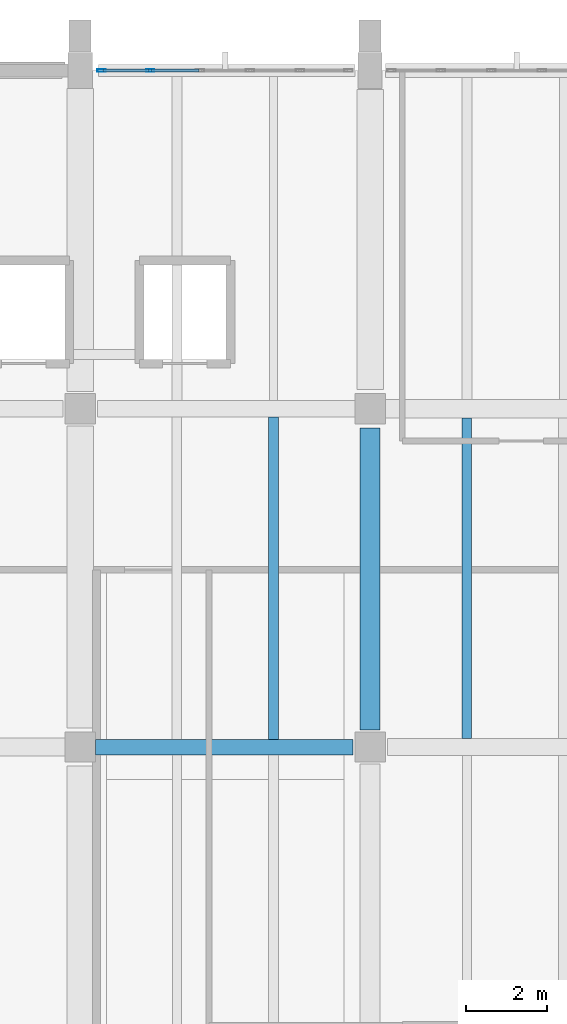
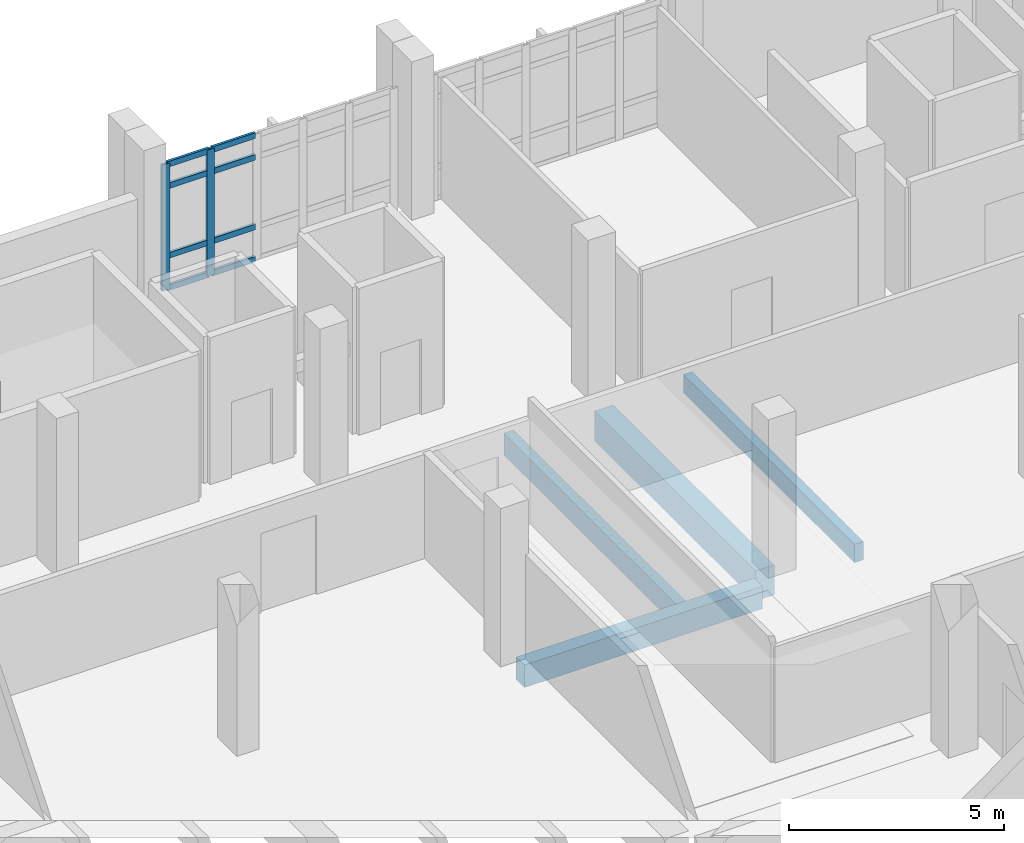
# One storey, part 63 of 124: 10 members, 4 beams, 1 element without a shape of its own.
"""IFC4 building model written with IfcOpenShell, lengths in metres."""

import ifcopenshell
import ifcopenshell.guid

model = None  # the IFC model being written
_history = None  # IfcOwnerHistory: only IFC2X3 demands one
_inside = {}  # id of a spatial element -> (the spatial element, [elements in it])
_under = {}  # id of a project, library or spatial element -> (it, [spatial elements below it])
_declared = {}  # id of a project -> (the project, [libraries it declares])
_typed = {}  # id of a type object -> (the type object, [elements of that type])
_made_of = {}  # id of a material, layer set ... -> (it, [elements and type objects made of it])


def new_model(schema):
    """Start an empty IFC model of exactly this schema.

    Asked for "IFC4X3", IfcOpenShell would pick the latest addendum, in which some entities
    have other attributes; the version numbers below select the first issue.
    IFC2X3 requires an IfcOwnerHistory on every rooted entity: one is made here for all.
    """
    global model, _history
    if schema == "IFC4X3":
        model = ifcopenshell.file(schema_version=(4, 3, 0, 0))
    else:
        model = ifcopenshell.file(schema=schema)
    _inside.clear()
    _under.clear()
    _declared.clear()
    _typed.clear()
    _made_of.clear()
    _history = None
    if model.schema == "IFC2X3":
        org = make("IfcOrganization", Name="unknown")
        user = make(
            "IfcPersonAndOrganization",
            ThePerson=make("IfcPerson", FamilyName="unknown"),
            TheOrganization=org,
        )
        app = make(
            "IfcApplication",
            ApplicationDeveloper=org,
            Version="unknown",
            ApplicationFullName="unknown",
            ApplicationIdentifier="unknown",
        )
        _history = make(
            "IfcOwnerHistory",
            OwningUser=user,
            OwningApplication=app,
            ChangeAction="ADDED",
            CreationDate=0,
        )
    return model


def make(cls, **values):
    """One entity of the class cls with the attributes given. An attribute that is None is left unset."""
    return model.create_entity(
        cls, **{name: value for name, value in values.items() if value is not None}
    )


def rooted(cls, **values):
    """An entity with a GlobalId (a new one), such as an element, a storey or a relation."""
    return make(cls, GlobalId=ifcopenshell.guid.new(), OwnerHistory=_history, **values)


def si_unit(unit_type, name, prefix=None):
    """IfcSIUnit, for example si_unit("LENGTHUNIT", "METRE", prefix="MILLI")."""
    return make("IfcSIUnit", UnitType=unit_type, Prefix=prefix, Name=name)


def assignment(units):
    """IfcUnitAssignment: the units of a project."""
    return None if units is None else make("IfcUnitAssignment", Units=units)


def point(xyz):
    """IfcCartesianPoint."""
    return None if xyz is None else make("IfcCartesianPoint", Coordinates=xyz)


def direction(xyz):
    """IfcDirection."""
    return None if xyz is None else make("IfcDirection", DirectionRatios=xyz)


def frame(location, z_axis=None, x_axis=None):
    """IfcAxis2Placement3D, a coordinate frame: its origin and axes. An axis left out is left unset."""
    return make(
        "IfcAxis2Placement3D",
        Location=point(location),
        Axis=direction(z_axis),
        RefDirection=direction(x_axis),
    )


def frame_2d(location, x_axis=None):
    """IfcAxis2Placement2D, a coordinate frame in the plane: its origin and x axis."""
    return make(
        "IfcAxis2Placement2D", Location=point(location), RefDirection=direction(x_axis)
    )


def origin():
    """The frame at (0, 0, 0) with its axes left unset."""
    return frame((0.0, 0.0, 0.0))


def origin_2d():
    """The frame at (0, 0) in the plane with its x axis left unset."""
    return frame_2d((0.0, 0.0))


def place(relative_to, where):
    """IfcLocalPlacement: puts the frame where relative to a parent placement (None: the world)."""
    return make(
        "IfcLocalPlacement", PlacementRelTo=relative_to, RelativePlacement=where
    )


def context(
    kind, dimensions, precision=None, world=None, true_north=None, identifier=None
):
    """IfcGeometricRepresentationContext, for example the 3D "Model" context."""
    return make(
        "IfcGeometricRepresentationContext",
        ContextIdentifier=identifier,
        ContextType=kind,
        CoordinateSpaceDimension=dimensions,
        Precision=precision,
        WorldCoordinateSystem=world,
        TrueNorth=true_north,
    )


def subcontext(parent, identifier, kind, view, scale=None):
    """IfcGeometricRepresentationSubContext, for example "Body" below "Model"."""
    return make(
        "IfcGeometricRepresentationSubContext",
        ContextIdentifier=identifier,
        ContextType=kind,
        ParentContext=parent,
        TargetScale=scale,
        TargetView=view,
    )


def project(units=None, contexts=None):
    """IfcProject with its units and contexts."""
    return rooted(
        "IfcProject",
        Name="project",
        RepresentationContexts=contexts,
        UnitsInContext=assignment(units),
    )


def spatial(cls, under=None, at=None, **own):
    """A site, building, storey or space (cls), placed at a placement, below another one or the project."""
    s = rooted(cls, ObjectPlacement=at, **own)
    if under is not None:
        _under.setdefault(under.id(), (under, []))[1].append(s)
    return s


def profile(cls, at=None, kind="AREA", **sizes):
    """A parametric profile (cls). Its sizes go by their IFC names, for example OverallWidth=200.0."""
    return make(cls, ProfileType=kind, Position=at, **sizes)


def rectangle(**sizes):
    """IfcRectangleProfileDef."""
    return profile("IfcRectangleProfileDef", **sizes)


def hollow_rectangle(**sizes):
    """IfcRectangleHollowProfileDef."""
    return profile("IfcRectangleHollowProfileDef", **sizes)


def extrude(swept, where, along, depth):
    """IfcExtrudedAreaSolid: the profile swept, set in the frame where, extruded along a direction by depth."""
    return make(
        "IfcExtrudedAreaSolid",
        SweptArea=swept,
        Position=where,
        ExtrudedDirection=direction(along),
        Depth=depth,
    )


def shape(context_of_items, identifier, shape_type, items):
    """IfcShapeRepresentation: the items that make up one representation, for example the "Body"."""
    return make(
        "IfcShapeRepresentation",
        ContextOfItems=context_of_items,
        RepresentationIdentifier=identifier,
        RepresentationType=shape_type,
        Items=items,
    )


def material(Name=None, Category=None):
    """IfcMaterial."""
    return make("IfcMaterial", Name=Name, Category=Category)


def material_profile(
    of_material, cross_section, Name=None, Category=None, Priority=None
):
    """IfcMaterialProfile: a cross section and its material."""
    return make(
        "IfcMaterialProfile",
        Name=Name,
        Material=of_material,
        Profile=cross_section,
        Priority=Priority,
        Category=Category,
    )


def profile_set(profiles, Name=None, composite=None):
    """IfcMaterialProfileSet."""
    return make(
        "IfcMaterialProfileSet",
        Name=Name,
        MaterialProfiles=profiles,
        CompositeProfile=composite,
    )


def made_of(thing, what):
    """Note that an element or type object is made of a material, layer set ...; save() writes the relation."""
    if what is not None:
        _made_of.setdefault(what.id(), (what, []))[1].append(thing)
    return thing


def type_object(cls, material=None, **own):
    """A type object (cls), such as IfcWallType, which elements share."""
    return made_of(rooted(cls, **own), material)


def element(
    cls,
    number,
    at=None,
    inside=None,
    cuts=None,
    type_object=None,
    material=None,
    context=None,
    identifier="Body",
    shape_type=None,
    held_by="IfcProductDefinitionShape",
    body=None,
    shapes=None,
    **own,
):
    """One element of the class cls, such as IfcWall. Its Tag is "e" and its number.

    at: its placement. inside: the storey or other place that contains it. cuts: it is an
    opening in that element (IfcRelVoidsElement). A single representation is given by context,
    identifier, shape_type and body (its items); several are given by shapes. held_by: the class
    of the entity that holds the representations. save() writes the other relations.
    """
    e = rooted(cls, Tag="e%d" % number, ObjectPlacement=at, **own)
    if body is not None:
        shapes = [shape(context, identifier, shape_type, body)]
    if shapes is not None:
        e.Representation = make(held_by, Representations=shapes)
    if inside is not None:
        _inside.setdefault(inside.id(), (inside, []))[1].append(e)
    if cuts is not None:
        rooted(
            "IfcRelVoidsElement", RelatingBuildingElement=cuts, RelatedOpeningElement=e
        )
    if type_object is not None:
        _typed.setdefault(type_object.id(), (type_object, []))[1].append(e)
    return made_of(e, material)


def aggregate(whole, parts):
    """IfcRelAggregates: a whole, such as a stair, and the parts it consists of."""
    return rooted("IfcRelAggregates", RelatingObject=whole, RelatedObjects=parts)


def save(model, path):
    """Write the relations noted so far, then the file.

    IfcRelAggregates (storeys below a building ...), IfcRelContainedInSpatialStructure (elements
    in a storey), IfcRelDefinesByType, IfcRelAssociatesMaterial and IfcRelDeclares: one each for
    every whole, place, type object, material and project.
    """
    for whole, parts in _under.values():
        aggregate(whole, parts)
    for where, things in _inside.values():
        rooted(
            "IfcRelContainedInSpatialStructure",
            RelatedElements=things,
            RelatingStructure=where,
        )
    for kind, things in _typed.values():
        rooted("IfcRelDefinesByType", RelatedObjects=things, RelatingType=kind)
    for what, things in _made_of.values():
        rooted("IfcRelAssociatesMaterial", RelatedObjects=things, RelatingMaterial=what)
    for by, libraries in _declared.values():
        rooted("IfcRelDeclares", RelatingContext=by, RelatedDefinitions=libraries)
    model.write(path)


model = new_model("IFC4")

# Units and contexts
model_context = context("Model", 3, precision=1e-05, world=origin(), true_north=direction((0.0, 1.0)))
body_context = subcontext(model_context, "Body", "Model", "MODEL_VIEW")
ifc_project = project(units=[si_unit("LENGTHUNIT", "METRE"), si_unit("AREAUNIT", "SQUARE_METRE"), si_unit("VOLUMEUNIT", "CUBIC_METRE"), si_unit("PLANEANGLEUNIT", "RADIAN"), si_unit("MASSUNIT", "GRAM", prefix="KILO")], contexts=[model_context])

# Site, building, storey
site_placement = place(None, origin())
site = spatial("IfcSite", under=ifc_project, at=site_placement, CompositionType="ELEMENT")
building_placement = place(site_placement, origin())
building = spatial("IfcBuilding", under=site, at=building_placement, Name="Kalluvel Institute of Natural Sciences", CompositionType="ELEMENT")
storey_placement = place(building_placement, frame((0.0, 0.0, 9.89990234375)))
storey = spatial("IfcBuildingStorey", under=building, at=storey_placement, Name="L02", CompositionType="ELEMENT", Elevation=9.89990234375)

# Beams
ifc_material_1 = material(Name="Concrete M40", Category="concrete")
ifc_material_profile_1 = material_profile(ifc_material_1, rectangle(XDim=0.3798828125, YDim=0.639892578125, at=origin_2d()), Name="RCB 380x640")
ifc_profile_set_1 = profile_set([ifc_material_profile_1], Name="Concrete M40")
beam_type_1 = type_object("IfcBeamType", Name="BM-RC380x640", PredefinedType="BEAM", material=ifc_profile_set_1)
beam_1_placement = place(storey_placement, frame((43.175048828125, 111.199951171875, -0.639892578125), z_axis=(1.0, 0.0, 0.0), x_axis=(0.0, 1.0, 0.0)))
element("IfcBeam", 1, at=beam_1_placement, inside=storey, type_object=beam_type_1, Name="L02 girder GIR-L02-EW-X428-Y1112", PredefinedType="BEAM", context=body_context, shape_type="SweptSolid", body=[
    extrude(rectangle(XDim=0.3798828125, YDim=0.639892578125, at=origin_2d()), origin(), (0.0, 0.0, 1.0), 6.39990234375),
])
ifc_material_2 = material(Name="Concrete M50", Category="concrete")
ifc_material_profile_2 = material_profile(ifc_material_2, rectangle(XDim=0.5, YDim=0.85009765625, at=origin_2d()), Name="RCB 500x850")
ifc_profile_set_2 = profile_set([ifc_material_profile_2], Name="Concrete M50")
beam_type_2 = type_object("IfcBeamType", Name="BM-RC500x850", PredefinedType="BEAM", material=ifc_profile_set_2)
beam_2_placement = place(storey_placement, frame((50.0, 111.625, -0.744873046875), z_axis=(0.0, 1.0, 0.0), x_axis=(-1.0, 0.0, 0.0)))
element("IfcBeam", 2, at=beam_2_placement, inside=storey, type_object=beam_type_2, Name="L02 girder GIR-L02-NS-X500-Y1112", PredefinedType="BEAM", context=body_context, shape_type="SweptSolid", body=[
    extrude(rectangle(XDim=0.5, YDim=0.85009765625, at=origin_2d()), origin(), (0.0, 0.0, 1.0), 7.5),
])

# Curtain wall, members
ifc_material_3 = material(Name="Aluminium AW-6063 T6", Category="aluminium")
curtain_wall_type = type_object("IfcCurtainWallType", Name="CW-WET-45", PredefinedType="USERDEFINED", material=ifc_material_3)
curtain_wall_placement = place(storey_placement, origin())
curtain_wall = element("IfcCurtainWall", 3, at=curtain_wall_placement, inside=storey, type_object=curtain_wall_type, Name="L02 Gothic lancet curtain wall CWA-L02-X433-Y1280", ObjectType="UNITISED LANCET FACADE", PredefinedType="USERDEFINED")
ifc_material_profile_3 = material_profile(ifc_material_3, hollow_rectangle(XDim=0.070068359375, YDim=0.2099609375, WallThickness=0.0048828125, at=origin_2d()), Name="CWM 70x210")
ifc_profile_set_3 = profile_set([ifc_material_profile_3], Name="Aluminium AW-6063 T6")
member_type_1 = type_object("IfcMemberType", Name="CWM-70x210", PredefinedType="MULLION", material=ifc_profile_set_3)
member_1_placement = place(storey_placement, frame((43.3349609375, 128.0, 0.0), z_axis=(0.0, 0.0, 1.0), x_axis=(0.0, 1.0, 0.0)))
member_1 = element("IfcMember", 4, at=member_1_placement, type_object=member_type_1, Name="CW-01 mullion 1", PredefinedType="MULLION", context=body_context, shape_type="SweptSolid", body=[
    extrude(hollow_rectangle(XDim=0.070068359375, YDim=0.2099609375, WallThickness=0.0048828125, at=origin_2d()), origin(), (0.0, 0.0, 1.0), 3.580078125),
])
member_2_placement = place(storey_placement, frame((44.5400390625, 128.0, 0.0), z_axis=(0.0, 0.0, 1.0), x_axis=(0.0, 1.0, 0.0)))
member_2 = element("IfcMember", 5, at=member_2_placement, type_object=member_type_1, Name="CW-01 mullion 2", PredefinedType="MULLION", context=body_context, shape_type="SweptSolid", body=[
    extrude(hollow_rectangle(XDim=0.070068359375, YDim=0.2099609375, WallThickness=0.0048828125, at=origin_2d()), origin(), (0.0, 0.0, 1.0), 3.580078125),
])
ifc_material_profile_4 = material_profile(ifc_material_3, hollow_rectangle(XDim=0.070068359375, YDim=0.159912109375, WallThickness=0.0048828125, at=origin_2d()), Name="CWT 70x160")
ifc_profile_set_4 = profile_set([ifc_material_profile_4], Name="Aluminium AW-6063 T6")
member_type_2 = type_object("IfcMemberType", Name="CWT-70x160", PredefinedType="USERDEFINED", material=ifc_profile_set_4)
member_3_placement = place(storey_placement, frame((43.3701171875, 128.0, 0.03515625), z_axis=(1.0, 0.0, 0.0), x_axis=(0.0, 1.0, 0.0)))
member_3 = element("IfcMember", 6, at=member_3_placement, type_object=member_type_2, Name="CW-01 transom 1.1", ObjectType="TRANSOM", PredefinedType="USERDEFINED", context=body_context, shape_type="SweptSolid", body=[
    extrude(hollow_rectangle(XDim=0.070068359375, YDim=0.159912109375, WallThickness=0.0048828125, at=origin_2d()), origin(), (0.0, 0.0, 1.0), 1.134765625),
])
member_4_placement = place(storey_placement, frame((43.3701171875, 128.0, 0.9501953125), z_axis=(1.0, 0.0, 0.0), x_axis=(0.0, 1.0, 0.0)))
member_4 = element("IfcMember", 7, at=member_4_placement, type_object=member_type_2, Name="CW-01 transom 1.2", ObjectType="TRANSOM", PredefinedType="USERDEFINED", context=body_context, shape_type="SweptSolid", body=[
    extrude(hollow_rectangle(XDim=0.070068359375, YDim=0.159912109375, WallThickness=0.0048828125, at=origin_2d()), origin(), (0.0, 0.0, 1.0), 1.134765625),
])
member_5_placement = place(storey_placement, frame((43.3701171875, 128.0, 2.93017578125), z_axis=(1.0, 0.0, 0.0), x_axis=(0.0, 1.0, 0.0)))
member_5 = element("IfcMember", 8, at=member_5_placement, type_object=member_type_2, Name="CW-01 transom 1.3", ObjectType="TRANSOM", PredefinedType="USERDEFINED", context=body_context, shape_type="SweptSolid", body=[
    extrude(hollow_rectangle(XDim=0.070068359375, YDim=0.159912109375, WallThickness=0.0048828125, at=origin_2d()), origin(), (0.0, 0.0, 1.0), 1.134765625),
])
member_6_placement = place(storey_placement, frame((43.3701171875, 128.0, 3.545166015625), z_axis=(1.0, 0.0, 0.0), x_axis=(0.0, 1.0, 0.0)))
member_6 = element("IfcMember", 9, at=member_6_placement, type_object=member_type_2, Name="CW-01 transom 1.4", ObjectType="TRANSOM", PredefinedType="USERDEFINED", context=body_context, shape_type="SweptSolid", body=[
    extrude(hollow_rectangle(XDim=0.070068359375, YDim=0.159912109375, WallThickness=0.0048828125, at=origin_2d()), origin(), (0.0, 0.0, 1.0), 1.134765625),
])
member_7_placement = place(storey_placement, frame((44.574951171875, 128.0, 0.03515625), z_axis=(1.0, 0.0, 0.0), x_axis=(0.0, 1.0, 0.0)))
member_7 = element("IfcMember", 10, at=member_7_placement, type_object=member_type_2, Name="CW-01 transom 2.1", ObjectType="TRANSOM", PredefinedType="USERDEFINED", context=body_context, shape_type="SweptSolid", body=[
    extrude(hollow_rectangle(XDim=0.070068359375, YDim=0.159912109375, WallThickness=0.0048828125, at=origin_2d()), origin(), (0.0, 0.0, 1.0), 1.170166015625),
])
member_8_placement = place(storey_placement, frame((44.574951171875, 128.0, 0.9501953125), z_axis=(1.0, 0.0, 0.0), x_axis=(0.0, 1.0, 0.0)))
member_8 = element("IfcMember", 11, at=member_8_placement, type_object=member_type_2, Name="CW-01 transom 2.2", ObjectType="TRANSOM", PredefinedType="USERDEFINED", context=body_context, shape_type="SweptSolid", body=[
    extrude(hollow_rectangle(XDim=0.070068359375, YDim=0.159912109375, WallThickness=0.0048828125, at=origin_2d()), origin(), (0.0, 0.0, 1.0), 1.170166015625),
])
member_9_placement = place(storey_placement, frame((44.574951171875, 128.0, 2.93017578125), z_axis=(1.0, 0.0, 0.0), x_axis=(0.0, 1.0, 0.0)))
member_9 = element("IfcMember", 12, at=member_9_placement, type_object=member_type_2, Name="CW-01 transom 2.3", ObjectType="TRANSOM", PredefinedType="USERDEFINED", context=body_context, shape_type="SweptSolid", body=[
    extrude(hollow_rectangle(XDim=0.070068359375, YDim=0.159912109375, WallThickness=0.0048828125, at=origin_2d()), origin(), (0.0, 0.0, 1.0), 1.170166015625),
])
member_10_placement = place(storey_placement, frame((44.574951171875, 128.0, 3.545166015625), z_axis=(1.0, 0.0, 0.0), x_axis=(0.0, 1.0, 0.0)))
member_10 = element("IfcMember", 13, at=member_10_placement, type_object=member_type_2, Name="CW-01 transom 2.4", ObjectType="TRANSOM", PredefinedType="USERDEFINED", context=body_context, shape_type="SweptSolid", body=[
    extrude(hollow_rectangle(XDim=0.070068359375, YDim=0.159912109375, WallThickness=0.0048828125, at=origin_2d()), origin(), (0.0, 0.0, 1.0), 1.170166015625),
])
aggregate(curtain_wall, [member_1, member_2, member_3, member_4, member_5, member_6, member_7, member_8, member_9, member_10])

# Beams
ifc_material_profile_5 = material_profile(ifc_material_1, rectangle(XDim=0.239990234375, YDim=0.52001953125, at=origin_2d()), Name="WAF 240x520")
ifc_profile_set_5 = profile_set([ifc_material_profile_5], Name="Concrete M40")
beam_type_3 = type_object("IfcBeamType", Name="WJ-240x520", PredefinedType="JOIST", material=ifc_profile_set_5)
beam_3_placement = place(storey_placement, frame((52.39990234375, 111.409912109375, -0.579833984375), z_axis=(0.0, 1.0, 0.0), x_axis=(-1.0, 0.0, 0.0)))
element("IfcBeam", 14, at=beam_3_placement, inside=storey, type_object=beam_type_3, Name="L02 waffle joist RIB-L02-0171", PredefinedType="JOIST", context=body_context, shape_type="SweptSolid", body=[
    extrude(rectangle(XDim=0.239990234375, YDim=0.52001953125, at=origin_2d()), origin(), (0.0, 0.0, 1.0), 7.965087890625),
])
ifc_material_profile_6 = material_profile(ifc_material_2, rectangle(XDim=0.260009765625, YDim=0.6201171875, at=origin_2d()), Name="WAF 260x620")
ifc_profile_set_6 = profile_set([ifc_material_profile_6], Name="Concrete M50")
beam_type_4 = type_object("IfcBeamType", Name="WJ-260x620", PredefinedType="JOIST", material=ifc_profile_set_6)
beam_4_placement = place(storey_placement, frame((47.60009765625, 111.389892578125, -0.6298828125), z_axis=(0.0, 1.0, 0.0), x_axis=(-1.0, 0.0, 0.0)))
element("IfcBeam", 15, at=beam_4_placement, inside=storey, type_object=beam_type_4, Name="L02 waffle joist RIB-L02-0166", PredefinedType="JOIST", context=body_context, shape_type="SweptSolid", body=[
    extrude(rectangle(XDim=0.260009765625, YDim=0.6201171875, at=origin_2d()), origin(), (0.0, 0.0, 1.0), 8.010009765625),
])

save(model, "model.ifc")
